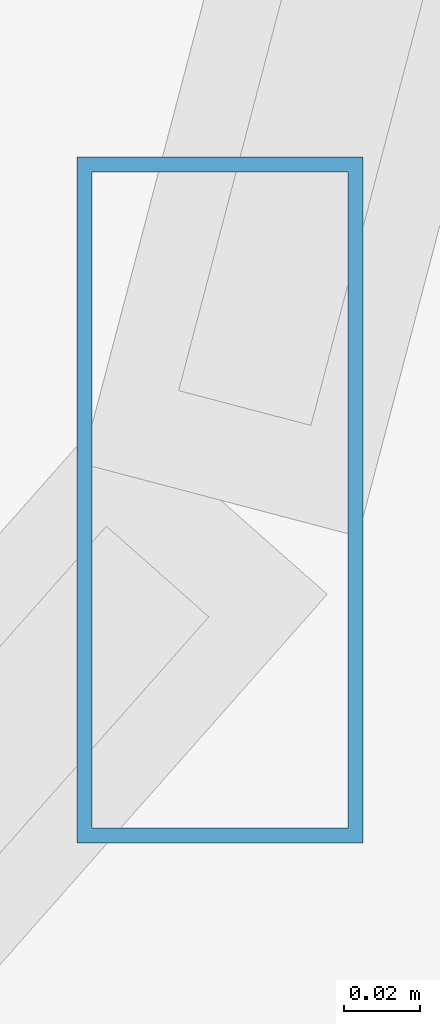
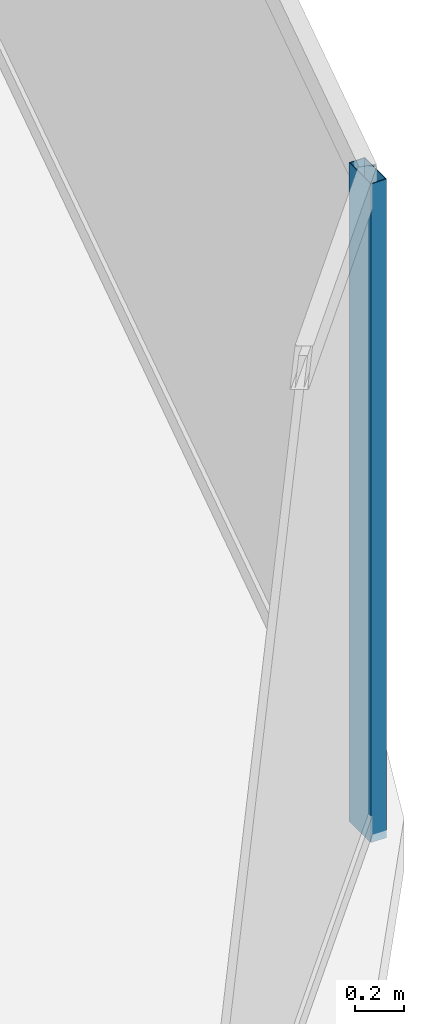
# One storey, part 14 of 30: 1 member, 1 element without a shape of its own.
"""IFC4 building model written with IfcOpenShell, lengths in metres."""

from ifc_helpers import new_model, si_unit, direction, frame, origin, origin_2d, place, context, subcontext, project, spatial, hollow_rectangle, extrude, material, material_profile, profile_set, type_object, element, aggregate, save


model = new_model("IFC4")

# Units and contexts
model_context = context("Model", 3, precision=1e-05, world=origin(), true_north=direction((0.0, 1.0)))
body_context = subcontext(model_context, "Body", "Model", "MODEL_VIEW")
ifc_project = project(units=[si_unit("LENGTHUNIT", "METRE"), si_unit("AREAUNIT", "SQUARE_METRE"), si_unit("VOLUMEUNIT", "CUBIC_METRE"), si_unit("PLANEANGLEUNIT", "RADIAN"), si_unit("MASSUNIT", "GRAM", prefix="KILO")], contexts=[model_context])

# Site, building, storey
site_placement = place(None, origin())
site = spatial("IfcSite", under=ifc_project, at=site_placement, CompositionType="ELEMENT")
building_placement = place(site_placement, origin())
building = spatial("IfcBuilding", under=site, at=building_placement, Name="Vorneva Point Tower", CompositionType="ELEMENT")
storey_placement = place(building_placement, frame((0.0, 0.0, 106.800048828125)))
storey = spatial("IfcBuildingStorey", under=building, at=storey_placement, Name="L28", CompositionType="ELEMENT", Elevation=106.800048828125)

# Curtain wall, member
ifc_material = material(Name="Pale anodised aluminium", Category="aluminium")
curtain_wall_type = type_object("IfcCurtainWallType", Name="CW-HTL-SYS", PredefinedType="NOTDEFINED", material=ifc_material)
curtain_wall_placement = place(storey_placement, origin())
curtain_wall = element("IfcCurtainWall", 1, at=curtain_wall_placement, inside=storey, type_object=curtain_wall_type, Name="L28 Unitised Curtain Wall CW-L28-R01", PredefinedType="NOTDEFINED")
ifc_material_profile = material_profile(ifc_material, hollow_rectangle(XDim=0.074951171875, YDim=0.179931640625, WallThickness=0.00390625, at=origin_2d()), Name="AL-MUL 180x75x4")
ifc_profile_set = profile_set([ifc_material_profile], Name="Pale anodised aluminium")
member_type = type_object("IfcMemberType", Name="CW-MUL-180", PredefinedType="MULLION", material=ifc_profile_set)
member_placement = place(storey_placement, frame((62.251708984375, 18.40380859375, -0.0400390625), z_axis=(0.0, 0.0, 1.0), x_axis=(1.0, 0.0, 0.0)))
member = element("IfcMember", 2, at=member_placement, type_object=member_type, Name="CW-L28-R01 Mullion 02", PredefinedType="MULLION", context=body_context, shape_type="SweptSolid", body=[
    extrude(hollow_rectangle(XDim=0.074951171875, YDim=0.179931640625, WallThickness=0.00390625, at=origin_2d()), origin(), (0.0, 0.0, 1.0), 3.31005859375),
])
aggregate(curtain_wall, [member])

save(model, "model.ifc")
